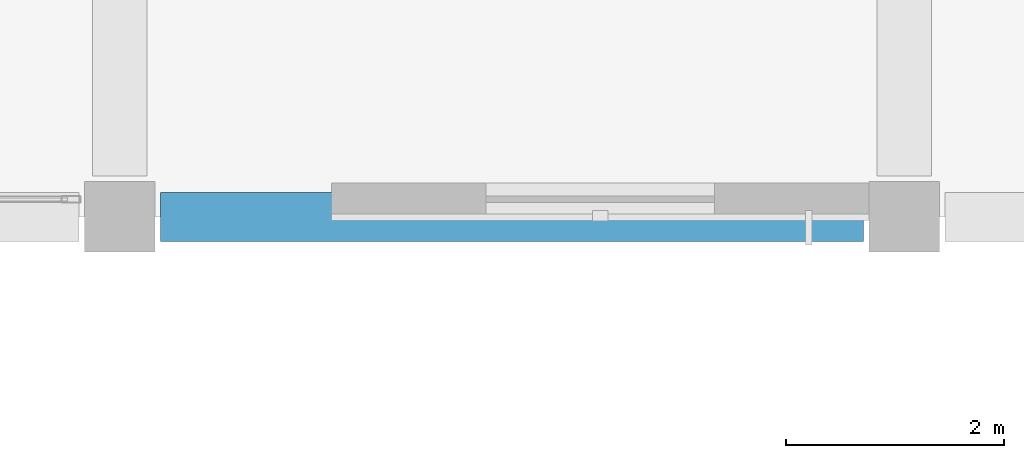
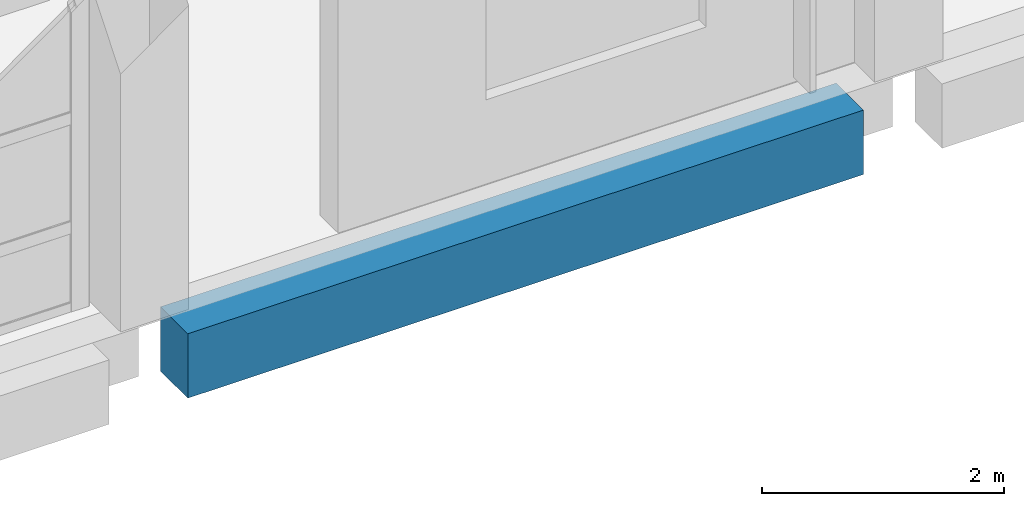
# One storey, part 56 of 127: 1 beam.
"""IFC4 building model written with IfcOpenShell, lengths in metres."""

from ifc_helpers import new_model, si_unit, direction, frame, origin, origin_2d, place, context, subcontext, project, spatial, rectangle, extrude, material, material_profile, profile_set, type_object, element, save


model = new_model("IFC4")

# Units and contexts
model_context = context("Model", 3, precision=1e-05, world=origin(), true_north=direction((0.0, 1.0)))
body_context = subcontext(model_context, "Body", "Model", "MODEL_VIEW")
ifc_project = project(units=[si_unit("LENGTHUNIT", "METRE"), si_unit("AREAUNIT", "SQUARE_METRE"), si_unit("VOLUMEUNIT", "CUBIC_METRE"), si_unit("PLANEANGLEUNIT", "RADIAN"), si_unit("MASSUNIT", "GRAM", prefix="KILO")], contexts=[model_context])

# Site, building, storey
site_placement = place(None, origin())
site = spatial("IfcSite", under=ifc_project, at=site_placement, CompositionType="ELEMENT")
building_placement = place(site_placement, origin())
building = spatial("IfcBuilding", under=site, at=building_placement, Name="Kalmorath City Hall", CompositionType="ELEMENT")
storey_placement = place(building_placement, frame((0.0, 0.0, 5.39990234375)))
storey = spatial("IfcBuildingStorey", under=building, at=storey_placement, Name="L01", CompositionType="ELEMENT", Elevation=5.39990234375)

# Beam
ifc_material = material(Name="Concrete C40/50", Category="concrete")
ifc_material_profile = material_profile(ifc_material, rectangle(XDim=0.449951171875, YDim=0.64990234375, at=origin_2d()), Name="RC-BM-450X650")
ifc_profile_set = profile_set([ifc_material_profile], Name="Concrete C40/50")
beam_type = type_object("IfcBeamType", Name="Concrete spandrel beam 450x650", PredefinedType="SPANDREL", material=ifc_profile_set)
beam_placement = place(storey_placement, frame((108.375, 93.60009765625, -0.64892578125), z_axis=(1.0, 0.0, 0.0), x_axis=(0.0, 1.0, 0.0)))
element("IfcBeam", 1, at=beam_placement, inside=storey, type_object=beam_type, Name="L01 girder CB5 X16-17/14", PredefinedType="SPANDREL", context=body_context, shape_type="SweptSolid", body=[
    extrude(rectangle(XDim=0.449951171875, YDim=0.64990234375, at=origin_2d()), origin(), (0.0, 0.0, 1.0), 6.449951171875),
])

save(model, "model.ifc")
